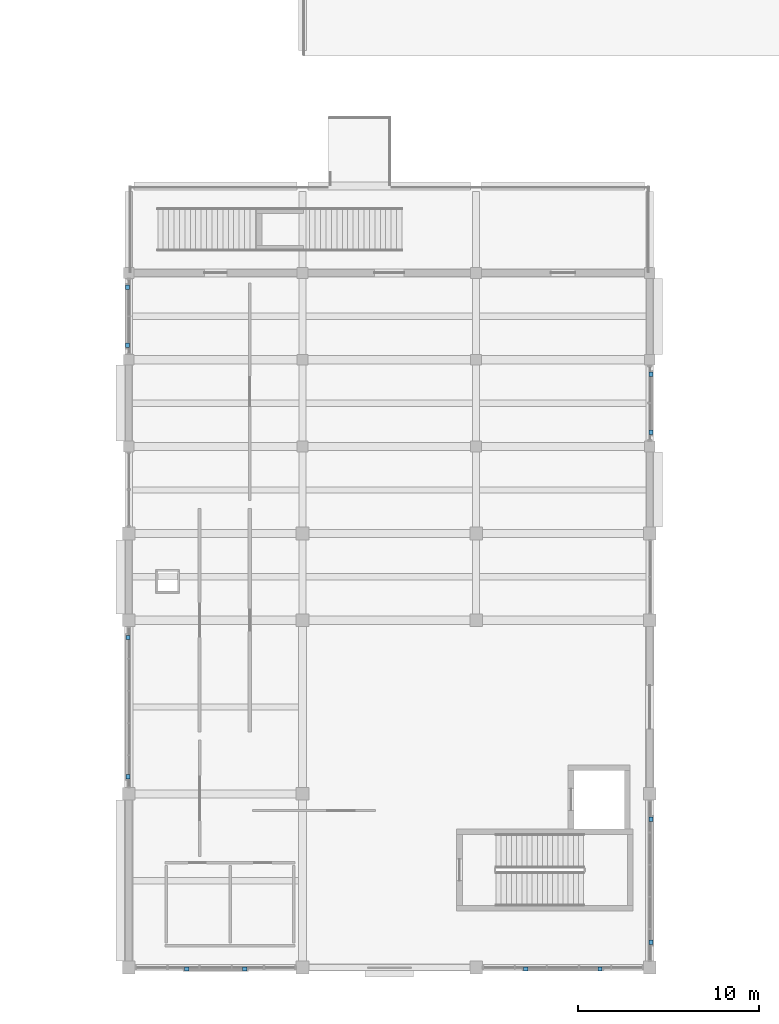
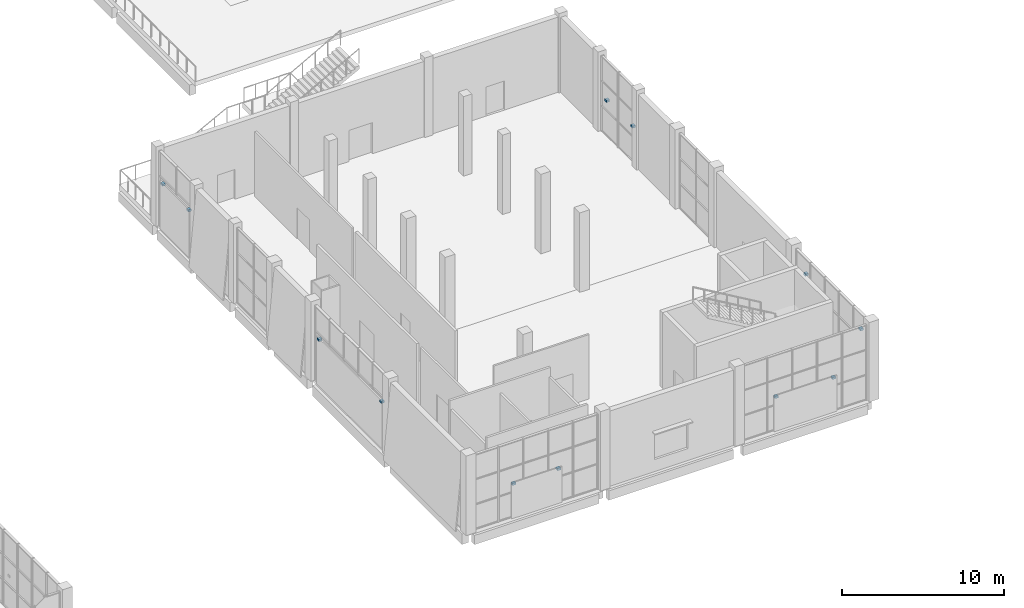
# One storey, part 65 of 84: 12 discrete accessories.
"""IFC4 building model written with IfcOpenShell, lengths in metres."""

from ifc_helpers import new_model, si_unit, direction, frame, origin, origin_2d, place, context, subcontext, project, spatial, rectangle, extrude, material, type_object, element, save


model = new_model("IFC4")

# Units and contexts
model_context = context("Model", 3, precision=1e-05, world=origin(), true_north=direction((0.0, 1.0)))
body_context = subcontext(model_context, "Body", "Model", "MODEL_VIEW")
ifc_project = project(units=[si_unit("LENGTHUNIT", "METRE"), si_unit("AREAUNIT", "SQUARE_METRE"), si_unit("VOLUMEUNIT", "CUBIC_METRE"), si_unit("PLANEANGLEUNIT", "RADIAN"), si_unit("MASSUNIT", "GRAM", prefix="KILO")], contexts=[model_context])

# Site, building, storey
site_placement = place(None, origin())
site = spatial("IfcSite", under=ifc_project, at=site_placement, CompositionType="ELEMENT")
building_placement = place(site_placement, origin())
building = spatial("IfcBuilding", under=site, at=building_placement, Name="Shalvenor Court Art Gallery", CompositionType="ELEMENT")
storey_placement = place(building_placement, origin())
storey = spatial("IfcBuildingStorey", under=building, at=storey_placement, Name="L00", CompositionType="ELEMENT", Elevation=0.0)

# Discrete accessories
ifc_material = material(Name="Stainless steel anchor bracket", Category="steel")
discrete_accessory_type = type_object("IfcDiscreteAccessoryType", Name="BRK-01", PredefinedType="BRACKET", material=ifc_material)
for number, where, z_axis, x_axis, name in (
    (1, (124.87646484375, 32.800048828125, 2.47021484375), (0.0, 0.0, 1.0), (0.0, -1.0, 0.0), "L00 Lattice Anchor Bracket 153"),
    (2, (124.87646484375, 29.60009765625, 2.47021484375), (0.0, 0.0, 1.0), (0.0, -1.0, 0.0), "L00 Lattice Anchor Bracket 154"),
    (3, (124.866455078125, 8.199951171875, 4.27001953125), (0.0, 0.0, 1.0), (0.0, -1.0, 0.0), "L00 Lattice Anchor Bracket 155"),
    (4, (124.866455078125, 1.39990234375, 4.27001953125), (0.0, 0.0, 1.0), (0.0, -1.0, 0.0), "L00 Lattice Anchor Bracket 156"),
    (5, (122.050048828125, -0.071533203125, 2.47021484375), (0.0, 0.0, 1.0), (-1.0, 0.0, 0.0), "L00 Lattice Anchor Bracket 157"),
    (6, (117.949951171875, -0.071533203125, 2.47021484375), (0.0, 0.0, 1.0), (-1.0, 0.0, 0.0), "L00 Lattice Anchor Bracket 158"),
    (7, (102.39990234375, -0.076416015625, 2.47021484375), (0.0, 0.0, 1.0), (-1.0, 0.0, 0.0), "L00 Lattice Anchor Bracket 159"),
    (8, (99.199951171875, -0.076416015625, 2.47021484375), (0.0, 0.0, 1.0), (-1.0, 0.0, 0.0), "L00 Lattice Anchor Bracket 160"),
    (9, (95.9423828125, 10.550048828125, 3.3701171875), (0.0, 0.0, 1.0), (0.0, 1.0, 0.0), "L00 Lattice Anchor Bracket 161"),
    (10, (95.9423828125, 18.25, 3.3701171875), (0.0, 0.0, 1.0), (0.0, 1.0, 0.0), "L00 Lattice Anchor Bracket 162"),
    (11, (95.928466796875, 34.39990234375, 3.3701171875), (0.0, 0.0, 1.0), (0.0, 1.0, 0.0), "L00 Lattice Anchor Bracket 163"),
    (12, (95.928466796875, 37.60009765625, 3.3701171875), (0.0, 0.0, 1.0), (0.0, 1.0, 0.0), "L00 Lattice Anchor Bracket 164"),
):
    element("IfcDiscreteAccessory", number, at=place(storey_placement, frame(where, z_axis=z_axis, x_axis=x_axis)), inside=storey, type_object=discrete_accessory_type, Name=name, PredefinedType="BRACKET", context=body_context, shape_type="SweptSolid", body=[
        extrude(rectangle(XDim=0.239990234375, YDim=0.219970703125, at=origin_2d()), origin(), (0.0, 0.0, 1.0), 0.159912109375),
    ])

save(model, "model.ifc")
